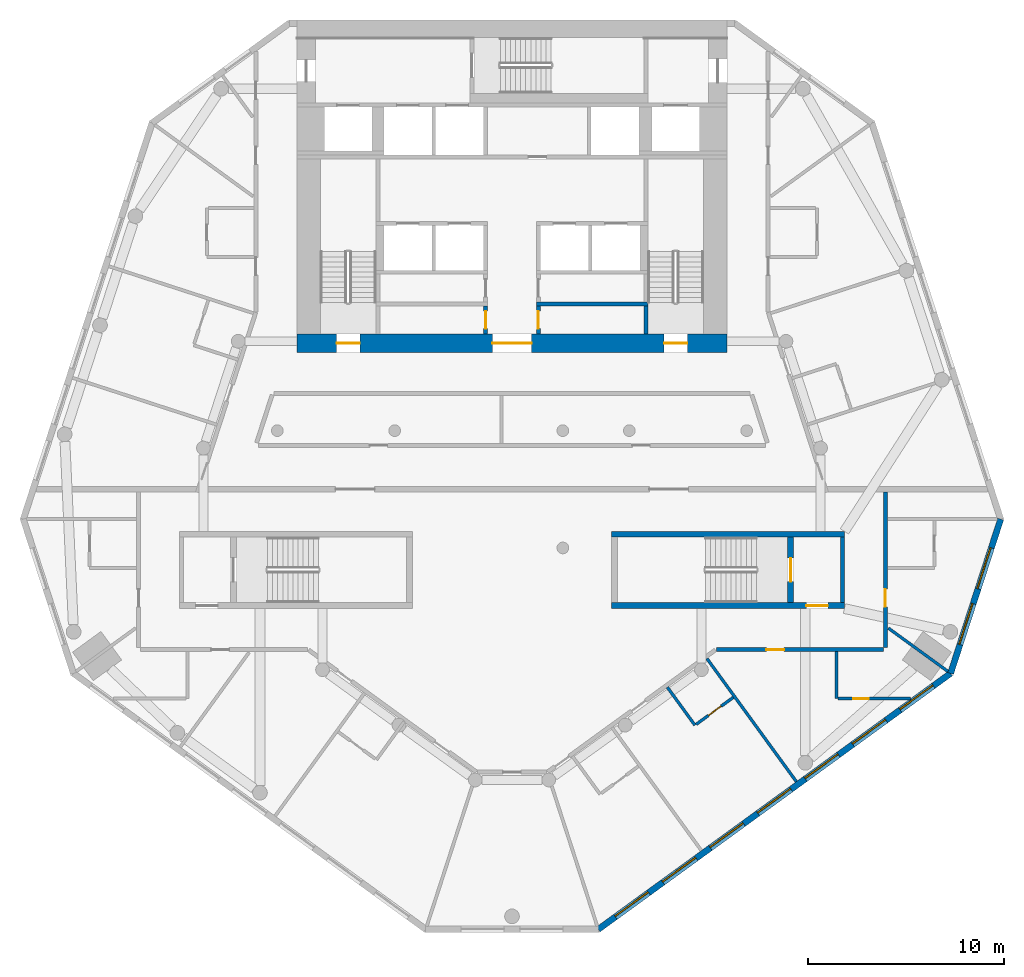
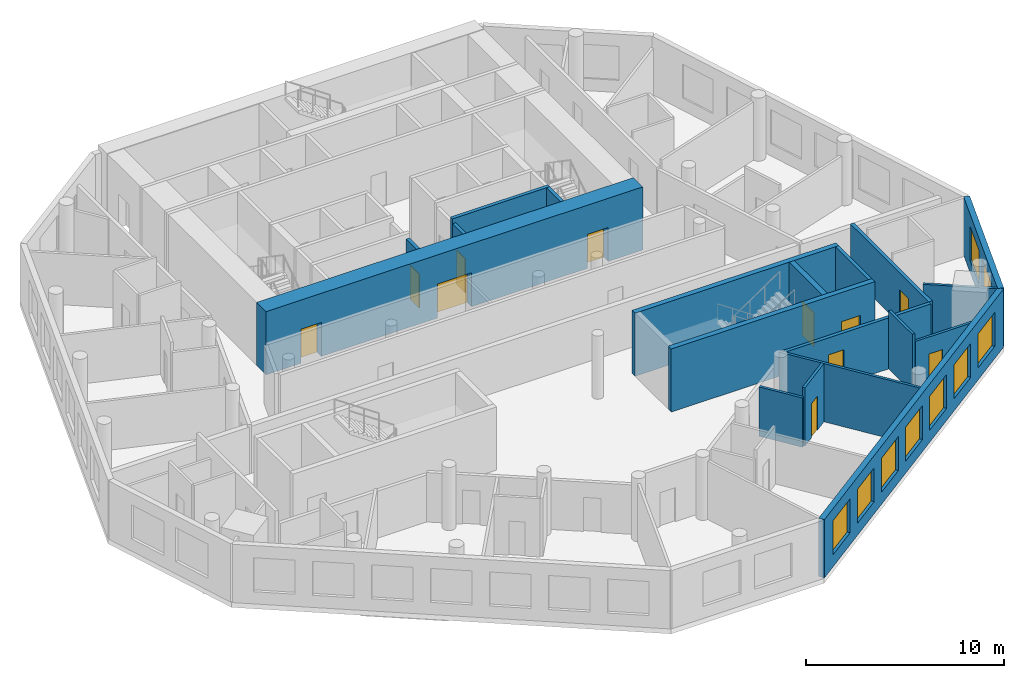
# One storey, part 4 of 9: 19 walls, 11 doors, 9 windows, 20 openings.
"""IFC4 building model written with IfcOpenShell, lengths in metres."""

from ifc_helpers import new_model, si_unit, direction, frame, frame_2d, origin, place, context, subcontext, project, spatial, rectangle, extrude, material, layer, layer_set, type_object, element, fill, save


model = new_model("IFC4")

# Units and contexts
model_context = context("Model", 3, precision=1e-05, world=origin(), true_north=direction((0.0, 1.0)))
body_context = subcontext(model_context, "Body", "Model", "MODEL_VIEW")
ifc_project = project(units=[si_unit("LENGTHUNIT", "METRE"), si_unit("AREAUNIT", "SQUARE_METRE"), si_unit("VOLUMEUNIT", "CUBIC_METRE"), si_unit("PLANEANGLEUNIT", "RADIAN"), si_unit("MASSUNIT", "GRAM", prefix="KILO")], contexts=[model_context])

# Site, building, storey
site_placement = place(None, origin())
site = spatial("IfcSite", under=ifc_project, at=site_placement, CompositionType="ELEMENT")
building_placement = place(site_placement, origin())
building = spatial("IfcBuilding", under=site, at=building_placement, Name="White Candle Pilgrim Tower", CompositionType="ELEMENT")
storey_placement = place(building_placement, frame((0.0, 0.0, 187.60009765625)))
storey = spatial("IfcBuildingStorey", under=building, at=storey_placement, Name="L43", CompositionType="ELEMENT", Elevation=187.60009765625)

# Wall
ifc_material_1 = material(Name="Concrete C60/75", Category="concrete")
ifc_layer_1 = layer(ifc_material_1, 0.199951171875)
ifc_layer_set_1 = layer_set([ifc_layer_1], Name="Core wall 200 mm Concrete C60/75")
wall_type_1 = type_object("IfcWallType", Name="Core wall 200 mm Concrete C60/75", PredefinedType="SHEAR", material=ifc_layer_set_1)
wall_1_placement = place(storey_placement, frame((86.89990234375, 58.199951171875, 0.0), z_axis=(0.0, 0.0, 1.0), x_axis=(0.0, 1.0, 0.0)))
element("IfcWall", 1, at=wall_1_placement, inside=storey, type_object=wall_type_1, Name="WL-L43-C08", PredefinedType="SHEAR", context=body_context, shape_type="SweptSolid", body=[
    extrude(rectangle(XDim=3.35009765625, YDim=0.199951171875, at=frame_2d((1.675048828125, 0.0))), origin(), (0.0, 0.0, 1.0), 3.89990234375),
])

# Wall, opening, door
ifc_material_2 = material(Name="Gypsum board on steel studs", Category="steel")
ifc_layer_2 = layer(ifc_material_2, 0.199951171875)
ifc_layer_set_2 = layer_set([ifc_layer_2], Name="Corridor wall 200 mm EI 45")
wall_type_2 = type_object("IfcWallType", Name="Corridor wall 200 mm EI 45", PredefinedType="PARTITIONING", material=ifc_layer_set_2)
wall_2_placement = place(storey_placement, frame((89.10009765625, 63.85009765625, 0.0), z_axis=(0.0, 0.0, 1.0), x_axis=(0.0, -1.0, 0.0)))
wall_2 = element("IfcWall", 2, at=wall_2_placement, inside=storey, type_object=wall_type_2, Name="WL-L43-P006", PredefinedType="PARTITIONING", context=body_context, shape_type="SweptSolid", body=[
    extrude(rectangle(XDim=7.9501953125, YDim=0.199951171875, at=frame_2d((3.97509765625, 0.0))), origin(), (0.0, 0.0, 1.0), 3.14990234375),
])
opening_1_placement = place(wall_2_placement, frame((4.9619140625, 0.0, 0.0)))
opening_1 = element("IfcOpeningElement", 3, at=opening_1_placement, cuts=wall_2, Name="Opening T13-117", PredefinedType="OPENING", context=body_context, shape_type="SweptSolid", body=[
    extrude(rectangle(XDim=0.89990234375, YDim=2.10009765625, at=frame_2d((0.449951171875, 1.050048828125))), frame((0.0, 0.10986328125, 0.0), z_axis=(0.0, -1.0, 0.0), x_axis=(1.0, 0.0, 0.0)), (0.0, 0.0, 1.0), 0.219970703125),
])
ifc_material_3 = material(Name="Steel door leaf", Category="steel")
door_type_1 = type_object("IfcDoorType", Name="Fire door 900 x 2100 EI 30", OperationType="NOTDEFINED", PredefinedType="DOOR", material=ifc_material_3)
door_1_placement = place(opening_1_placement, origin())
door_1 = element("IfcDoor", 4, at=door_1_placement, inside=storey, type_object=door_type_1, Name="Door T13-117", OperationType="SINGLE_SWING_LEFT", OverallHeight=2.10009765625, OverallWidth=0.89990234375, PredefinedType="DOOR", context=body_context, shape_type="SweptSolid", body=[
    extrude(rectangle(XDim=0.89990234375, YDim=2.10009765625, at=frame_2d((0.449951171875, 1.050048828125))), frame((0.0, 0.02490234375, 0.0), z_axis=(0.0, -1.0, 0.0), x_axis=(1.0, 0.0, 0.0)), (0.0, 0.0, 1.0), 0.050048828125),
])
fill(opening_1, door_1)

wall_3_placement = place(storey_placement, frame((89.0, 55.800048828125, 0.0), z_axis=(0.0, 0.0, 1.0), x_axis=(-1.0, 0.0, 0.0)))
wall_3 = element("IfcWall", 5, at=wall_3_placement, inside=storey, type_object=wall_type_2, Name="WL-L43-P007", PredefinedType="PARTITIONING", context=body_context, shape_type="SweptSolid", body=[
    extrude(rectangle(XDim=8.54296875, YDim=0.199951171875, at=frame_2d((4.271484375, 0.0))), origin(), (0.0, 0.0, 1.0), 3.14990234375),
])
opening_2_placement = place(wall_3_placement, frame((5.087890625, 0.0, 0.0)))
opening_2 = element("IfcOpeningElement", 6, at=opening_2_placement, cuts=wall_3, Name="Opening T13-115", PredefinedType="OPENING", context=body_context, shape_type="SweptSolid", body=[
    extrude(rectangle(XDim=0.89990234375, YDim=2.10009765625, at=frame_2d((0.449951171875, 1.050048828125))), frame((0.0, 0.10986328125, 0.0), z_axis=(0.0, -1.0, 0.0), x_axis=(1.0, 0.0, 0.0)), (0.0, 0.0, 1.0), 0.219970703125),
])
door_2_placement = place(opening_2_placement, origin())
door_2 = element("IfcDoor", 7, at=door_2_placement, inside=storey, type_object=door_type_1, Name="Door T13-115", OperationType="SINGLE_SWING_LEFT", OverallHeight=2.10009765625, OverallWidth=0.89990234375, PredefinedType="DOOR", context=body_context, shape_type="SweptSolid", body=[
    extrude(rectangle(XDim=0.89990234375, YDim=2.10009765625, at=frame_2d((0.449951171875, 1.050048828125))), frame((0.0, 0.02490234375, 0.0), z_axis=(0.0, -1.0, 0.0), x_axis=(1.0, 0.0, 0.0)), (0.0, 0.0, 1.0), 0.050048828125),
])
fill(opening_2, door_2)

# Wall, openings, windows
ifc_material_4 = material(Name="Precast concrete C40/50", Category="concrete")
ifc_layer_3 = layer(ifc_material_4, 0.320068359375)
ifc_layer_set_3 = layer_set([ifc_layer_3], Name="Facade wall EW1 precast concrete C40/50 pier wall with timber-lined reveals")
wall_type_3 = type_object("IfcWallType", Name="Facade wall EW1 precast concrete C40/50 pier wall with timber-lined reveals", PredefinedType="SOLIDWALL", material=ifc_layer_set_3)
wall_4_placement = place(storey_placement, frame((74.412353515625, 41.493896484375, 0.0), z_axis=(0.0, 0.0, 1.0), x_axis=(0.809019450931, 0.587781871118, 0.0)))
wall_4 = element("IfcWall", 8, at=wall_4_placement, inside=storey, type_object=wall_type_3, Name="Facade wall L43 SE", PredefinedType="SOLIDWALL", context=body_context, shape_type="SweptSolid", body=[
    extrude(rectangle(XDim=22.2724609375, YDim=0.320068359375, at=frame_2d((11.13623046875, 0.0))), origin(), (0.0, 0.0, 1.0), 3.599853515625),
])
opening_3_placement = place(wall_4_placement, frame((1.086181640625, 0.0, 0.75)))
opening_3 = element("IfcOpeningElement", 9, at=opening_3_placement, cuts=wall_4, Name="Opening W3", PredefinedType="OPENING", context=body_context, shape_type="SweptSolid", body=[
    extrude(rectangle(XDim=2.10009765625, YDim=2.10009765625, at=frame_2d((1.050048828125, 1.050048828125))), frame((0.0, 0.169921875, 0.0), z_axis=(0.0, -1.0, 0.0), x_axis=(1.0, 0.0, 0.0)), (0.0, 0.0, 1.0), 0.340087890625),
])
opening_4_placement = place(wall_4_placement, frame((4.086181640625, 0.0, 0.75)))
opening_4 = element("IfcOpeningElement", 10, at=opening_4_placement, cuts=wall_4, Name="Opening W3", PredefinedType="OPENING", context=body_context, shape_type="SweptSolid", body=[
    extrude(rectangle(XDim=2.10009765625, YDim=2.10009765625, at=frame_2d((1.050048828125, 1.050048828125))), frame((0.0, 0.169921875, 0.0), z_axis=(0.0, -1.0, 0.0), x_axis=(1.0, 0.0, 0.0)), (0.0, 0.0, 1.0), 0.340087890625),
])
opening_5_placement = place(wall_4_placement, frame((7.086181640625, 0.0, 0.75)))
opening_5 = element("IfcOpeningElement", 11, at=opening_5_placement, cuts=wall_4, Name="Opening W3", PredefinedType="OPENING", context=body_context, shape_type="SweptSolid", body=[
    extrude(rectangle(XDim=2.10009765625, YDim=2.10009765625, at=frame_2d((1.050048828125, 1.050048828125))), frame((0.0, 0.169921875, 0.0), z_axis=(0.0, -1.0, 0.0), x_axis=(1.0, 0.0, 0.0)), (0.0, 0.0, 1.0), 0.340087890625),
])
opening_6_placement = place(wall_4_placement, frame((10.086181640625, 0.0, 0.75)))
opening_6 = element("IfcOpeningElement", 12, at=opening_6_placement, cuts=wall_4, Name="Opening W3", PredefinedType="OPENING", context=body_context, shape_type="SweptSolid", body=[
    extrude(rectangle(XDim=2.10009765625, YDim=2.10009765625, at=frame_2d((1.050048828125, 1.050048828125))), frame((0.0, 0.169921875, 0.0), z_axis=(0.0, -1.0, 0.0), x_axis=(1.0, 0.0, 0.0)), (0.0, 0.0, 1.0), 0.340087890625),
])
opening_7_placement = place(wall_4_placement, frame((13.086181640625, 0.0, 0.75)))
opening_7 = element("IfcOpeningElement", 13, at=opening_7_placement, cuts=wall_4, Name="Opening W3", PredefinedType="OPENING", context=body_context, shape_type="SweptSolid", body=[
    extrude(rectangle(XDim=2.10009765625, YDim=2.10009765625, at=frame_2d((1.050048828125, 1.050048828125))), frame((0.0, 0.169921875, 0.0), z_axis=(0.0, -1.0, 0.0), x_axis=(1.0, 0.0, 0.0)), (0.0, 0.0, 1.0), 0.340087890625),
])
opening_8_placement = place(wall_4_placement, frame((16.086181640625, 0.0, 0.75)))
opening_8 = element("IfcOpeningElement", 14, at=opening_8_placement, cuts=wall_4, Name="Opening W3", PredefinedType="OPENING", context=body_context, shape_type="SweptSolid", body=[
    extrude(rectangle(XDim=2.10009765625, YDim=2.10009765625, at=frame_2d((1.050048828125, 1.050048828125))), frame((0.0, 0.169921875, 0.0), z_axis=(0.0, -1.0, 0.0), x_axis=(1.0, 0.0, 0.0)), (0.0, 0.0, 1.0), 0.340087890625),
])
opening_9_placement = place(wall_4_placement, frame((19.086181640625, 0.0, 0.75)))
opening_9 = element("IfcOpeningElement", 15, at=opening_9_placement, cuts=wall_4, Name="Opening W3", PredefinedType="OPENING", context=body_context, shape_type="SweptSolid", body=[
    extrude(rectangle(XDim=2.10009765625, YDim=2.10009765625, at=frame_2d((1.050048828125, 1.050048828125))), frame((0.0, 0.169921875, 0.0), z_axis=(0.0, -1.0, 0.0), x_axis=(1.0, 0.0, 0.0)), (0.0, 0.0, 1.0), 0.340087890625),
])
ifc_material_5 = material(Name="Timber frame with triple glazing", Category="wood")
window_type_1 = type_object("IfcWindowType", Name="Window W3 2100x2100 timber frame triple glazing", PartitioningType="SINGLE_PANEL", PredefinedType="WINDOW", material=ifc_material_5)
window_1_placement = place(opening_3_placement, origin())
window_1 = element("IfcWindow", 16, at=window_1_placement, inside=storey, type_object=window_type_1, Name="Window W3 L43 SE 1", OverallHeight=2.10009765625, OverallWidth=2.10009765625, PartitioningType="SINGLE_PANEL", PredefinedType="WINDOW", context=body_context, shape_type="SweptSolid", body=[
    extrude(rectangle(XDim=2.10009765625, YDim=2.10009765625, at=frame_2d((1.050048828125, 1.050048828125))), frame((0.0, 0.070068359375, 0.0), z_axis=(0.0, -1.0, 0.0), x_axis=(1.0, 0.0, 0.0)), (0.0, 0.0, 1.0), 0.06005859375),
])
fill(opening_3, window_1)
window_2_placement = place(opening_4_placement, origin())
window_2 = element("IfcWindow", 17, at=window_2_placement, inside=storey, type_object=window_type_1, Name="Window W3 L43 SE 2", OverallHeight=2.10009765625, OverallWidth=2.10009765625, PartitioningType="SINGLE_PANEL", PredefinedType="WINDOW", context=body_context, shape_type="SweptSolid", body=[
    extrude(rectangle(XDim=2.10009765625, YDim=2.10009765625, at=frame_2d((1.050048828125, 1.050048828125))), frame((0.0, 0.070068359375, 0.0), z_axis=(0.0, -1.0, 0.0), x_axis=(1.0, 0.0, 0.0)), (0.0, 0.0, 1.0), 0.06005859375),
])
fill(opening_4, window_2)
window_3_placement = place(opening_5_placement, origin())
window_3 = element("IfcWindow", 18, at=window_3_placement, inside=storey, type_object=window_type_1, Name="Window W3 L43 SE 3", OverallHeight=2.10009765625, OverallWidth=2.10009765625, PartitioningType="SINGLE_PANEL", PredefinedType="WINDOW", context=body_context, shape_type="SweptSolid", body=[
    extrude(rectangle(XDim=2.10009765625, YDim=2.10009765625, at=frame_2d((1.050048828125, 1.050048828125))), frame((0.0, 0.070068359375, 0.0), z_axis=(0.0, -1.0, 0.0), x_axis=(1.0, 0.0, 0.0)), (0.0, 0.0, 1.0), 0.06005859375),
])
fill(opening_5, window_3)
window_4_placement = place(opening_6_placement, origin())
window_4 = element("IfcWindow", 19, at=window_4_placement, inside=storey, type_object=window_type_1, Name="Window W3 L43 SE 4", OverallHeight=2.10009765625, OverallWidth=2.10009765625, PartitioningType="SINGLE_PANEL", PredefinedType="WINDOW", context=body_context, shape_type="SweptSolid", body=[
    extrude(rectangle(XDim=2.10009765625, YDim=2.10009765625, at=frame_2d((1.050048828125, 1.050048828125))), frame((0.0, 0.070068359375, 0.0), z_axis=(0.0, -1.0, 0.0), x_axis=(1.0, 0.0, 0.0)), (0.0, 0.0, 1.0), 0.06005859375),
])
fill(opening_6, window_4)
window_5_placement = place(opening_7_placement, origin())
window_5 = element("IfcWindow", 20, at=window_5_placement, inside=storey, type_object=window_type_1, Name="Window W3 L43 SE 5", OverallHeight=2.10009765625, OverallWidth=2.10009765625, PartitioningType="SINGLE_PANEL", PredefinedType="WINDOW", context=body_context, shape_type="SweptSolid", body=[
    extrude(rectangle(XDim=2.10009765625, YDim=2.10009765625, at=frame_2d((1.050048828125, 1.050048828125))), frame((0.0, 0.070068359375, 0.0), z_axis=(0.0, -1.0, 0.0), x_axis=(1.0, 0.0, 0.0)), (0.0, 0.0, 1.0), 0.06005859375),
])
fill(opening_7, window_5)
window_6_placement = place(opening_8_placement, origin())
window_6 = element("IfcWindow", 21, at=window_6_placement, inside=storey, type_object=window_type_1, Name="Window W3 L43 SE 6", OverallHeight=2.10009765625, OverallWidth=2.10009765625, PartitioningType="SINGLE_PANEL", PredefinedType="WINDOW", context=body_context, shape_type="SweptSolid", body=[
    extrude(rectangle(XDim=2.10009765625, YDim=2.10009765625, at=frame_2d((1.050048828125, 1.050048828125))), frame((0.0, 0.070068359375, 0.0), z_axis=(0.0, -1.0, 0.0), x_axis=(1.0, 0.0, 0.0)), (0.0, 0.0, 1.0), 0.06005859375),
])
fill(opening_8, window_6)
window_7_placement = place(opening_9_placement, origin())
window_7 = element("IfcWindow", 22, at=window_7_placement, inside=storey, type_object=window_type_1, Name="Window W3 L43 SE 7", OverallHeight=2.10009765625, OverallWidth=2.10009765625, PartitioningType="SINGLE_PANEL", PredefinedType="WINDOW", context=body_context, shape_type="SweptSolid", body=[
    extrude(rectangle(XDim=2.10009765625, YDim=2.10009765625, at=frame_2d((1.050048828125, 1.050048828125))), frame((0.0, 0.070068359375, 0.0), z_axis=(0.0, -1.0, 0.0), x_axis=(1.0, 0.0, 0.0)), (0.0, 0.0, 1.0), 0.06005859375),
])
fill(opening_9, window_7)

wall_5_placement = place(storey_placement, frame((92.43115234375, 54.585205078125, 0.0), z_axis=(0.0, 0.0, 1.0), x_axis=(0.309001512975, 0.951061546368, 0.0)))
wall_5 = element("IfcWall", 23, at=wall_5_placement, inside=storey, type_object=wall_type_3, Name="Facade wall L43 E chamfer", PredefinedType="SOLIDWALL", context=body_context, shape_type="SweptSolid", body=[
    extrude(rectangle(XDim=8.291259765625, YDim=0.320068359375, at=frame_2d((4.1455078125, 0.0))), origin(), (0.0, 0.0, 1.0), 3.599853515625),
])
opening_10_placement = place(wall_5_placement, frame((1.545654296875, 0.0, 0.75)))
opening_10 = element("IfcOpeningElement", 24, at=opening_10_placement, cuts=wall_5, Name="Opening W4", PredefinedType="OPENING", context=body_context, shape_type="SweptSolid", body=[
    extrude(rectangle(XDim=2.199951171875, YDim=2.10009765625, at=frame_2d((1.10009765625, 1.050048828125))), frame((0.0, 0.169921875, 0.0), z_axis=(0.0, -1.0, 0.0), x_axis=(1.0, 0.0, 0.0)), (0.0, 0.0, 1.0), 0.340087890625),
])
opening_11_placement = place(wall_5_placement, frame((4.545654296875, 0.0, 0.75)))
opening_11 = element("IfcOpeningElement", 25, at=opening_11_placement, cuts=wall_5, Name="Opening W4", PredefinedType="OPENING", context=body_context, shape_type="SweptSolid", body=[
    extrude(rectangle(XDim=2.199951171875, YDim=2.10009765625, at=frame_2d((1.10009765625, 1.050048828125))), frame((0.0, 0.169921875, 0.0), z_axis=(0.0, -1.0, 0.0), x_axis=(1.0, 0.0, 0.0)), (0.0, 0.0, 1.0), 0.340087890625),
])
window_type_2 = type_object("IfcWindowType", Name="Window W4 2200x2100 timber frame triple glazing", PartitioningType="SINGLE_PANEL", PredefinedType="WINDOW", material=ifc_material_5)
window_8_placement = place(opening_10_placement, origin())
window_8 = element("IfcWindow", 26, at=window_8_placement, inside=storey, type_object=window_type_2, Name="Window W4 L43 E chamfer 1", OverallHeight=2.10009765625, OverallWidth=2.199951171875, PartitioningType="SINGLE_PANEL", PredefinedType="WINDOW", context=body_context, shape_type="SweptSolid", body=[
    extrude(rectangle(XDim=2.199951171875, YDim=2.10009765625, at=frame_2d((1.10009765625, 1.050048828125))), frame((0.0, 0.070068359375, 0.0), z_axis=(0.0, -1.0, 0.0), x_axis=(1.0, 0.0, 0.0)), (0.0, 0.0, 1.0), 0.06005859375),
])
fill(opening_10, window_8)
window_9_placement = place(opening_11_placement, origin())
window_9 = element("IfcWindow", 27, at=window_9_placement, inside=storey, type_object=window_type_2, Name="Window W4 L43 E chamfer 2", OverallHeight=2.10009765625, OverallWidth=2.199951171875, PartitioningType="SINGLE_PANEL", PredefinedType="WINDOW", context=body_context, shape_type="SweptSolid", body=[
    extrude(rectangle(XDim=2.199951171875, YDim=2.10009765625, at=frame_2d((1.10009765625, 1.050048828125))), frame((0.0, 0.070068359375, 0.0), z_axis=(0.0, -1.0, 0.0), x_axis=(1.0, 0.0, 0.0)), (0.0, 0.0, 1.0), 0.06005859375),
])
fill(opening_11, window_9)

# Wall, opening, door
ifc_layer_4 = layer(ifc_material_2, 0.199951171875)
ifc_layer_set_4 = layer_set([ifc_layer_4], Name="Lobby wall 200 mm EI 60")
wall_type_4 = type_object("IfcWallType", Name="Lobby wall 200 mm EI 60", PredefinedType="PARTITIONING", material=ifc_layer_set_4)
wall_6_placement = place(storey_placement, frame((68.64990234375, 71.949951171875, 0.0), z_axis=(0.0, 0.0, 1.0), x_axis=(0.0, 1.0, 0.0)))
wall_6 = element("IfcWall", 28, at=wall_6_placement, inside=storey, type_object=wall_type_4, Name="WL-L43-C14", PredefinedType="PARTITIONING", context=body_context, shape_type="SweptSolid", body=[
    extrude(rectangle(XDim=1.425048828125, YDim=0.199951171875, at=frame_2d((0.71240234375, 0.0))), origin(), (0.0, 0.0, 1.0), 3.599853515625),
])
opening_12_placement = place(wall_6_placement, frame((0.262451171875, 0.0, 0.0)))
opening_12 = element("IfcOpeningElement", 29, at=opening_12_placement, cuts=wall_6, Name="Opening T13-005", PredefinedType="OPENING", context=body_context, shape_type="SweptSolid", body=[
    extrude(rectangle(XDim=0.89990234375, YDim=2.10009765625, at=frame_2d((0.449951171875, 1.050048828125))), frame((0.0, 0.10986328125, 0.0), z_axis=(0.0, -1.0, 0.0), x_axis=(1.0, 0.0, 0.0)), (0.0, 0.0, 1.0), 0.219970703125),
])
door_3_placement = place(opening_12_placement, origin())
door_3 = element("IfcDoor", 30, at=door_3_placement, inside=storey, type_object=door_type_1, Name="Door T13-005", OperationType="SINGLE_SWING_LEFT", OverallHeight=2.10009765625, OverallWidth=0.89990234375, PredefinedType="DOOR", context=body_context, shape_type="SweptSolid", body=[
    extrude(rectangle(XDim=0.89990234375, YDim=2.10009765625, at=frame_2d((0.449951171875, 1.050048828125))), frame((0.0, 0.02490234375, 0.0), z_axis=(0.0, -1.0, 0.0), x_axis=(1.0, 0.0, 0.0)), (0.0, 0.0, 1.0), 0.050048828125),
])
fill(opening_12, door_3)

wall_7_placement = place(storey_placement, frame((71.35009765625, 71.949951171875, 0.0), z_axis=(0.0, 0.0, 1.0), x_axis=(0.0, 1.0, 0.0)))
wall_7 = element("IfcWall", 31, at=wall_7_placement, inside=storey, type_object=wall_type_4, Name="WL-L43-C15", PredefinedType="PARTITIONING", context=body_context, shape_type="SweptSolid", body=[
    extrude(rectangle(XDim=1.425048828125, YDim=0.199951171875, at=frame_2d((0.71240234375, 0.0))), origin(), (0.0, 0.0, 1.0), 3.599853515625),
])
opening_13_placement = place(wall_7_placement, frame((0.262451171875, 0.0, 0.0)))
opening_13 = element("IfcOpeningElement", 32, at=opening_13_placement, cuts=wall_7, Name="Opening T13-007", PredefinedType="OPENING", context=body_context, shape_type="SweptSolid", body=[
    extrude(rectangle(XDim=0.89990234375, YDim=2.10009765625, at=frame_2d((0.449951171875, 1.050048828125))), frame((0.0, 0.10986328125, 0.0), z_axis=(0.0, -1.0, 0.0), x_axis=(1.0, 0.0, 0.0)), (0.0, 0.0, 1.0), 0.219970703125),
])
door_4_placement = place(opening_13_placement, origin())
door_4 = element("IfcDoor", 33, at=door_4_placement, inside=storey, type_object=door_type_1, Name="Door T13-007", OperationType="SINGLE_SWING_LEFT", OverallHeight=2.10009765625, OverallWidth=0.89990234375, PredefinedType="DOOR", context=body_context, shape_type="SweptSolid", body=[
    extrude(rectangle(XDim=0.89990234375, YDim=2.10009765625, at=frame_2d((0.449951171875, 1.050048828125))), frame((0.0, 0.02490234375, 0.0), z_axis=(0.0, -1.0, 0.0), x_axis=(1.0, 0.0, 0.0)), (0.0, 0.0, 1.0), 0.050048828125),
])
fill(opening_13, door_4)

# Walls
ifc_layer_5 = layer(ifc_material_2, 0.14990234375)
ifc_layer_set_5 = layer_set([ifc_layer_5], Name="Partition 150 mm EI 60")
wall_type_5 = type_object("IfcWallType", Name="Partition 150 mm EI 60", PredefinedType="PARTITIONING", material=ifc_layer_set_5)
wall_8_placement = place(storey_placement, frame((92.294921875, 54.68408203125, 0.0), z_axis=(0.0, 0.0, 1.0), x_axis=(-0.808982372667, 0.587832902034, 0.0)))
element("IfcWall", 34, at=wall_8_placement, inside=storey, type_object=wall_type_5, Name="WL-L43-P022", PredefinedType="PARTITIONING", context=body_context, shape_type="SweptSolid", body=[
    extrude(rectangle(XDim=3.771240234375, YDim=0.14990234375, at=frame_2d((1.8857421875, 0.0))), origin(), (0.0, 0.0, 1.0), 3.599853515625),
])
wall_9_placement = place(storey_placement, frame((84.541259765625, 49.05078125, 0.0), z_axis=(0.0, 0.0, 1.0), x_axis=(-0.587785397819, 0.809016888643, 0.0)))
element("IfcWall", 35, at=wall_9_placement, inside=storey, type_object=wall_type_5, Name="WL-L43-P042", PredefinedType="PARTITIONING", context=body_context, shape_type="SweptSolid", body=[
    extrude(rectangle(XDim=7.780029296875, YDim=0.14990234375, at=frame_2d((3.89013671875, 0.0))), origin(), (0.0, 0.0, 1.0), 3.599853515625),
])
wall_10_placement = place(storey_placement, frame((77.945556640625, 53.87548828125, 0.0), z_axis=(0.0, 0.0, 1.0), x_axis=(0.587772420479, -0.809026317077, 0.0)))
element("IfcWall", 36, at=wall_10_placement, inside=storey, type_object=wall_type_5, Name="WL-L43-P045", PredefinedType="PARTITIONING", context=body_context, shape_type="SweptSolid", body=[
    extrude(rectangle(XDim=2.39990234375, YDim=0.14990234375, at=frame_2d((1.199951171875, 0.0))), origin(), (0.0, 0.0, 1.0), 3.0498046875),
])

# Wall, opening, door
wall_11_placement = place(storey_placement, frame((81.318115234375, 53.359130859375, 0.0), z_axis=(0.0, 0.0, 1.0), x_axis=(-0.808996573949, -0.587813357571, 0.0)))
wall_11 = element("IfcWall", 37, at=wall_11_placement, inside=storey, type_object=wall_type_5, Name="WL-L43-P046", PredefinedType="PARTITIONING", context=body_context, shape_type="SweptSolid", body=[
    extrude(rectangle(XDim=2.35009765625, YDim=0.14990234375, at=frame_2d((1.175048828125, 0.0))), origin(), (0.0, 0.0, 1.0), 3.599853515625),
])
opening_14_placement = place(wall_11_placement, frame((0.77490234375, 0.0, 0.0)))
opening_14 = element("IfcOpeningElement", 38, at=opening_14_placement, cuts=wall_11, Name="Opening T13-112", PredefinedType="OPENING", context=body_context, shape_type="SweptSolid", body=[
    extrude(rectangle(XDim=0.800048828125, YDim=2.10009765625, at=frame_2d((0.39990234375, 1.050048828125))), frame((0.0, 0.0849609375, 0.0), z_axis=(0.0, -1.0, 0.0), x_axis=(1.0, 0.0, 0.0)), (0.0, 0.0, 1.0), 0.169921875),
])
door_type_2 = type_object("IfcDoorType", Name="Fire door 800 x 2100 EI 30", OperationType="NOTDEFINED", PredefinedType="DOOR", material=ifc_material_3)
door_5_placement = place(opening_14_placement, origin())
door_5 = element("IfcDoor", 39, at=door_5_placement, inside=storey, type_object=door_type_2, Name="Door T13-112", OperationType="SINGLE_SWING_RIGHT", OverallHeight=2.10009765625, OverallWidth=0.800048828125, PredefinedType="DOOR", context=body_context, shape_type="SweptSolid", body=[
    extrude(rectangle(XDim=0.800048828125, YDim=2.10009765625, at=frame_2d((0.39990234375, 1.050048828125))), frame((0.0, 0.02490234375, 0.0), z_axis=(0.0, -1.0, 0.0), x_axis=(1.0, 0.0, 0.0)), (0.0, 0.0, 1.0), 0.050048828125),
])
fill(opening_14, door_5)

# Wall
wall_12_placement = place(storey_placement, frame((86.60009765625, 55.699951171875, 0.0), z_axis=(0.0, 0.0, 1.0), x_axis=(0.0, -1.0, 0.0)))
element("IfcWall", 40, at=wall_12_placement, inside=storey, type_object=wall_type_5, Name="WL-L43-P047", PredefinedType="PARTITIONING", context=body_context, shape_type="SweptSolid", body=[
    extrude(rectangle(XDim=2.39990234375, YDim=0.14990234375, at=frame_2d((1.199951171875, 0.0))), origin(), (0.0, 0.0, 1.0), 3.599853515625),
])

# Wall, opening, door
wall_13_placement = place(storey_placement, frame((90.389892578125, 53.300048828125, 0.0), z_axis=(0.0, 0.0, 1.0), x_axis=(-1.0, 0.0, 0.0)))
wall_13 = element("IfcWall", 41, at=wall_13_placement, inside=storey, type_object=wall_type_5, Name="WL-L43-P048", PredefinedType="PARTITIONING", context=body_context, shape_type="SweptSolid", body=[
    extrude(rectangle(XDim=3.71484375, YDim=0.14990234375, at=frame_2d((1.857421875, 0.0))), origin(), (0.0, 0.0, 1.0), 3.14990234375),
])
opening_15_placement = place(wall_13_placement, frame((2.139892578125, 0.0, 0.0)))
opening_15 = element("IfcOpeningElement", 42, at=opening_15_placement, cuts=wall_13, Name="Opening T13-114", PredefinedType="OPENING", context=body_context, shape_type="SweptSolid", body=[
    extrude(rectangle(XDim=0.800048828125, YDim=2.10009765625, at=frame_2d((0.39990234375, 1.050048828125))), frame((0.0, 0.0849609375, 0.0), z_axis=(0.0, -1.0, 0.0), x_axis=(1.0, 0.0, 0.0)), (0.0, 0.0, 1.0), 0.169921875),
])
door_6_placement = place(opening_15_placement, origin())
door_6 = element("IfcDoor", 43, at=door_6_placement, inside=storey, type_object=door_type_2, Name="Door T13-114", OperationType="SINGLE_SWING_RIGHT", OverallHeight=2.10009765625, OverallWidth=0.800048828125, PredefinedType="DOOR", context=body_context, shape_type="SweptSolid", body=[
    extrude(rectangle(XDim=0.800048828125, YDim=2.10009765625, at=frame_2d((0.39990234375, 1.050048828125))), frame((0.0, 0.02490234375, 0.0), z_axis=(0.0, -1.0, 0.0), x_axis=(1.0, 0.0, 0.0)), (0.0, 0.0, 1.0), 0.050048828125),
])
fill(opening_15, door_6)

# Walls
ifc_layer_6 = layer(ifc_material_1, 0.199951171875)
ifc_layer_set_6 = layer_set([ifc_layer_6], Name="Stair shaft wall 200 mm Concrete C60/75")
wall_type_6 = type_object("IfcWallType", Name="Stair shaft wall 200 mm Concrete C60/75", PredefinedType="SHEAR", material=ifc_layer_set_6)
wall_14_placement = place(storey_placement, frame((76.85009765625, 71.949951171875, 0.0), z_axis=(0.0, 0.0, 1.0), x_axis=(0.0, 1.0, 0.0)))
element("IfcWall", 44, at=wall_14_placement, inside=storey, type_object=wall_type_6, Name="WL-L43-C16", PredefinedType="SHEAR", context=body_context, shape_type="SweptSolid", body=[
    extrude(rectangle(XDim=1.425048828125, YDim=0.199951171875, at=frame_2d((0.71240234375, 0.0))), origin(), (0.0, 0.0, 1.0), 3.89990234375),
])
wall_15_placement = place(storey_placement, frame((71.25, 73.47509765625, 0.0), z_axis=(0.0, 0.0, 1.0), x_axis=(1.0, 0.0, 0.0)))
element("IfcWall", 45, at=wall_15_placement, inside=storey, type_object=wall_type_6, Name="WL-L43-C19", PredefinedType="SHEAR", context=body_context, shape_type="SweptSolid", body=[
    extrude(rectangle(XDim=5.699951171875, YDim=0.199951171875, at=frame_2d((2.85009765625, 0.0))), origin(), (0.0, 0.0, 1.0), 3.89990234375),
])

# Wall, opening, door
ifc_layer_7 = layer(ifc_material_1, 0.300048828125)
ifc_layer_set_7 = layer_set([ifc_layer_7], Name="Stair shaft wall 300 mm Concrete C60/75")
wall_type_7 = type_object("IfcWallType", Name="Stair shaft wall 300 mm Concrete C60/75", PredefinedType="SHEAR", material=ifc_layer_set_7)
wall_16_placement = place(storey_placement, frame((75.10009765625, 58.050048828125, 0.0), z_axis=(0.0, 0.0, 1.0), x_axis=(1.0, 0.0, 0.0)))
wall_16 = element("IfcWall", 46, at=wall_16_placement, inside=storey, type_object=wall_type_7, Name="WL-L43-C02", PredefinedType="SHEAR", context=body_context, shape_type="SweptSolid", body=[
    extrude(rectangle(XDim=11.89990234375, YDim=0.300048828125, at=frame_2d((5.949951171875, 0.0))), origin(), (0.0, 0.0, 1.0), 3.89990234375),
])
opening_16_placement = place(wall_16_placement, frame((9.949951171875, 0.0, 0.0)))
opening_16 = element("IfcOpeningElement", 47, at=opening_16_placement, cuts=wall_16, Name="Opening T13-013", PredefinedType="OPENING", context=body_context, shape_type="SweptSolid", body=[
    extrude(rectangle(XDim=1.10009765625, YDim=2.10009765625, at=frame_2d((0.550048828125, 1.050048828125))), frame((0.0, 0.159912109375, 0.0), z_axis=(0.0, -1.0, 0.0), x_axis=(1.0, 0.0, 0.0)), (0.0, 0.0, 1.0), 0.320068359375),
])
door_type_3 = type_object("IfcDoorType", Name="Fire door 1100 x 2100 EI 60", OperationType="NOTDEFINED", PredefinedType="DOOR", material=ifc_material_3)
door_7_placement = place(opening_16_placement, origin())
door_7 = element("IfcDoor", 48, at=door_7_placement, inside=storey, type_object=door_type_3, Name="Door T13-013", OperationType="SINGLE_SWING_LEFT", OverallHeight=2.10009765625, OverallWidth=1.10009765625, PredefinedType="DOOR", context=body_context, shape_type="SweptSolid", body=[
    extrude(rectangle(XDim=1.10009765625, YDim=2.10009765625, at=frame_2d((0.550048828125, 1.050048828125))), frame((0.0, 0.02490234375, 0.0), z_axis=(0.0, -1.0, 0.0), x_axis=(1.0, 0.0, 0.0)), (0.0, 0.0, 1.0), 0.050048828125),
])
fill(opening_16, door_7)

wall_17_placement = place(storey_placement, frame((84.25, 58.199951171875, 0.0), z_axis=(0.0, 0.0, 1.0), x_axis=(0.0, 1.0, 0.0)))
wall_17 = element("IfcWall", 49, at=wall_17_placement, inside=storey, type_object=wall_type_7, Name="WL-L43-C07", PredefinedType="SHEAR", context=body_context, shape_type="SweptSolid", body=[
    extrude(rectangle(XDim=3.35009765625, YDim=0.300048828125, at=frame_2d((1.675048828125, 0.0))), origin(), (0.0, 0.0, 1.0), 3.89990234375),
])
opening_17_placement = place(wall_17_placement, frame((1.074951171875, 0.0, 0.0)))
opening_17 = element("IfcOpeningElement", 50, at=opening_17_placement, cuts=wall_17, Name="Opening T13-014", PredefinedType="OPENING", context=body_context, shape_type="SweptSolid", body=[
    extrude(rectangle(XDim=1.199951171875, YDim=2.10009765625, at=frame_2d((0.60009765625, 1.050048828125))), frame((0.0, 0.159912109375, 0.0), z_axis=(0.0, -1.0, 0.0), x_axis=(1.0, 0.0, 0.0)), (0.0, 0.0, 1.0), 0.320068359375),
])
door_type_4 = type_object("IfcDoorType", Name="Fire door 1200 x 2100 EI 60", OperationType="NOTDEFINED", PredefinedType="DOOR", material=ifc_material_3)
door_8_placement = place(opening_17_placement, origin())
door_8 = element("IfcDoor", 51, at=door_8_placement, inside=storey, type_object=door_type_4, Name="Door T13-014", OperationType="SINGLE_SWING_RIGHT", OverallHeight=2.10009765625, OverallWidth=1.199951171875, PredefinedType="DOOR", context=body_context, shape_type="SweptSolid", body=[
    extrude(rectangle(XDim=1.199951171875, YDim=2.10009765625, at=frame_2d((0.60009765625, 1.050048828125))), frame((0.0, 0.02490234375, 0.0), z_axis=(0.0, -1.0, 0.0), x_axis=(1.0, 0.0, 0.0)), (0.0, 0.0, 1.0), 0.050048828125),
])
fill(opening_17, door_8)

# Wall
wall_18_placement = place(storey_placement, frame((75.10009765625, 61.699951171875, 0.0), z_axis=(0.0, 0.0, 1.0), x_axis=(1.0, 0.0, 0.0)))
element("IfcWall", 52, at=wall_18_placement, inside=storey, type_object=wall_type_7, Name="WL-L43-C10", PredefinedType="SHEAR", context=body_context, shape_type="SweptSolid", body=[
    extrude(rectangle(XDim=11.89990234375, YDim=0.300048828125, at=frame_2d((5.949951171875, 0.0))), origin(), (0.0, 0.0, 1.0), 3.89990234375),
])

# Wall, openings, doors
ifc_layer_8 = layer(ifc_material_1, 0.949951171875)
ifc_layer_set_8 = layer_set([ifc_layer_8], Name="Stair shaft wall 950 mm Concrete C60/75")
wall_type_8 = type_object("IfcWallType", Name="Stair shaft wall 950 mm Concrete C60/75", PredefinedType="SHEAR", material=ifc_layer_set_8)
wall_19_placement = place(storey_placement, frame((59.0, 71.47509765625, 0.0), z_axis=(0.0, 0.0, 1.0), x_axis=(1.0, 0.0, 0.0)))
wall_19 = element("IfcWall", 53, at=wall_19_placement, inside=storey, type_object=wall_type_8, Name="WL-L43-C11", PredefinedType="SHEAR", context=body_context, shape_type="SweptSolid", body=[
    extrude(rectangle(XDim=22.0, YDim=0.949951171875, at=frame_2d((11.0, 0.0))), origin(), (0.0, 0.0, 1.0), 3.89990234375),
])
opening_18_placement = place(wall_19_placement, frame((2.02490234375, 0.0, 0.0)))
opening_18 = element("IfcOpeningElement", 54, at=opening_18_placement, cuts=wall_19, Name="Opening T13-001", PredefinedType="OPENING", context=body_context, shape_type="SweptSolid", body=[
    extrude(rectangle(XDim=1.199951171875, YDim=2.10009765625, at=frame_2d((0.60009765625, 1.050048828125))), frame((0.0, 0.48486328125, 0.0), z_axis=(0.0, -1.0, 0.0), x_axis=(1.0, 0.0, 0.0)), (0.0, 0.0, 1.0), 0.969970703125),
])
opening_19_placement = place(wall_19_placement, frame((18.77490234375, 0.0, 0.0)))
opening_19 = element("IfcOpeningElement", 55, at=opening_19_placement, cuts=wall_19, Name="Opening T13-002", PredefinedType="OPENING", context=body_context, shape_type="SweptSolid", body=[
    extrude(rectangle(XDim=1.199951171875, YDim=2.10009765625, at=frame_2d((0.60009765625, 1.050048828125))), frame((0.0, 0.48486328125, 0.0), z_axis=(0.0, -1.0, 0.0), x_axis=(1.0, 0.0, 0.0)), (0.0, 0.0, 1.0), 0.969970703125),
])
opening_20_placement = place(wall_19_placement, frame((10.0, 0.0, 0.0)))
opening_20 = element("IfcOpeningElement", 56, at=opening_20_placement, cuts=wall_19, Name="Opening T13-004", PredefinedType="OPENING", context=body_context, shape_type="SweptSolid", body=[
    extrude(rectangle(XDim=2.0, YDim=2.10009765625, at=frame_2d((1.0, 1.050048828125))), frame((0.0, 0.48486328125, 0.0), z_axis=(0.0, -1.0, 0.0), x_axis=(1.0, 0.0, 0.0)), (0.0, 0.0, 1.0), 0.969970703125),
])
door_9_placement = place(opening_18_placement, frame((1.199951171875, 0.0, 0.0), z_axis=(0.0, 0.0, 1.0), x_axis=(-1.0, 0.0, 0.0)))
door_9 = element("IfcDoor", 57, at=door_9_placement, inside=storey, type_object=door_type_4, Name="Door T13-001", OperationType="SINGLE_SWING_RIGHT", OverallHeight=2.10009765625, OverallWidth=1.199951171875, PredefinedType="DOOR", context=body_context, shape_type="SweptSolid", body=[
    extrude(rectangle(XDim=1.199951171875, YDim=2.10009765625, at=frame_2d((0.60009765625, 1.050048828125))), frame((0.0, 0.02490234375, 0.0), z_axis=(0.0, -1.0, 0.0), x_axis=(1.0, 0.0, 0.0)), (0.0, 0.0, 1.0), 0.050048828125),
])
fill(opening_18, door_9)
door_10_placement = place(opening_19_placement, frame((1.199951171875, 0.0, 0.0), z_axis=(0.0, 0.0, 1.0), x_axis=(-1.0, 0.0, 0.0)))
door_10 = element("IfcDoor", 58, at=door_10_placement, inside=storey, type_object=door_type_4, Name="Door T13-002", OperationType="SINGLE_SWING_LEFT", OverallHeight=2.10009765625, OverallWidth=1.199951171875, PredefinedType="DOOR", context=body_context, shape_type="SweptSolid", body=[
    extrude(rectangle(XDim=1.199951171875, YDim=2.10009765625, at=frame_2d((0.60009765625, 1.050048828125))), frame((0.0, 0.02490234375, 0.0), z_axis=(0.0, -1.0, 0.0), x_axis=(1.0, 0.0, 0.0)), (0.0, 0.0, 1.0), 0.050048828125),
])
fill(opening_19, door_10)
door_type_5 = type_object("IfcDoorType", Name="Fire door 2000 x 2100 EI 60", OperationType="NOTDEFINED", PredefinedType="DOOR", material=ifc_material_3)
door_11_placement = place(opening_20_placement, frame((2.0, 0.0, 0.0), z_axis=(0.0, 0.0, 1.0), x_axis=(-1.0, 0.0, 0.0)))
door_11 = element("IfcDoor", 59, at=door_11_placement, inside=storey, type_object=door_type_5, Name="Door T13-004", OperationType="DOUBLE_DOOR_SINGLE_SWING", OverallHeight=2.10009765625, OverallWidth=2.0, PredefinedType="DOOR", context=body_context, shape_type="SweptSolid", body=[
    extrude(rectangle(XDim=2.0, YDim=2.10009765625, at=frame_2d((1.0, 1.050048828125))), frame((0.0, 0.02490234375, 0.0), z_axis=(0.0, -1.0, 0.0), x_axis=(1.0, 0.0, 0.0)), (0.0, 0.0, 1.0), 0.050048828125),
])
fill(opening_20, door_11)

save(model, "model.ifc")
